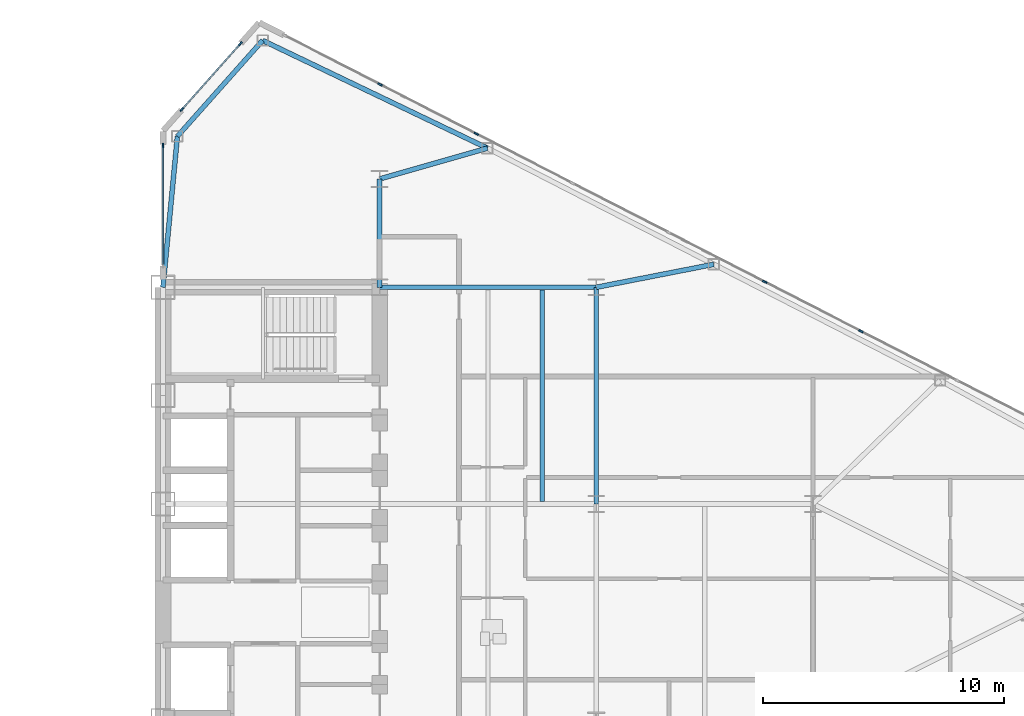
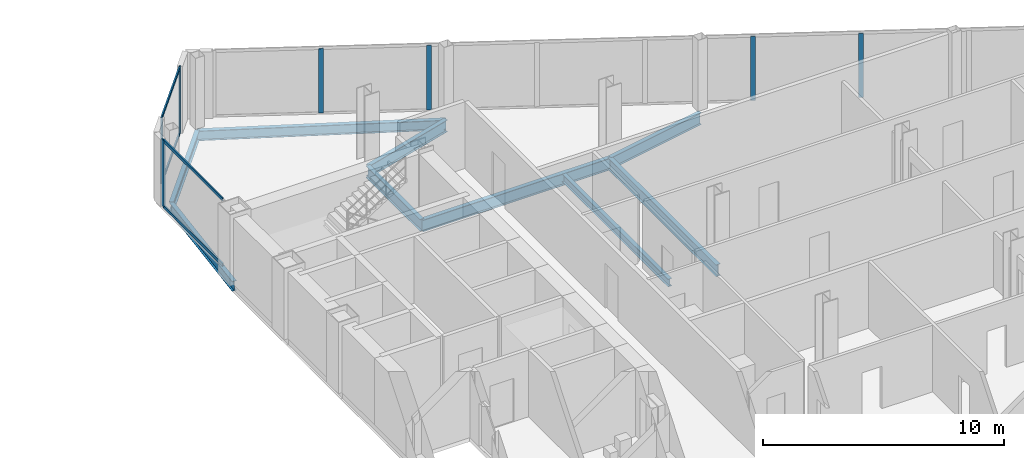
# One storey, part 11 of 24: 11 members, 9 beams, 3 elements without a shape of their own.
"""IFC4 building model written with IfcOpenShell, lengths in metres."""

from ifc_helpers import new_model, si_unit, direction, frame, origin, origin_2d, place, context, subcontext, project, spatial, rectangle, i_section, extrude, source, transform, mapped, material, layer, layer_set, material_profile, profile_set, type_object, type_shapes, element, aggregate, save


model = new_model("IFC4")

# Units and contexts
model_context = context("Model", 3, precision=1e-05, world=origin(), true_north=direction((0.0, 1.0)))
body_context = subcontext(model_context, "Body", "Model", "MODEL_VIEW")
ifc_project = project(units=[si_unit("LENGTHUNIT", "METRE"), si_unit("AREAUNIT", "SQUARE_METRE"), si_unit("VOLUMEUNIT", "CUBIC_METRE"), si_unit("PLANEANGLEUNIT", "RADIAN"), si_unit("MASSUNIT", "GRAM", prefix="KILO")], contexts=[model_context])

# Site, building, storey
site_placement = place(None, origin())
site = spatial("IfcSite", under=ifc_project, at=site_placement, CompositionType="ELEMENT")
building_placement = place(site_placement, origin())
building = spatial("IfcBuilding", under=site, at=building_placement, Name="Seokmaru Belvedere", CompositionType="ELEMENT")
storey_placement = place(building_placement, frame((0.0, 0.0, 121.199951171875)))
storey = spatial("IfcBuildingStorey", under=building, at=storey_placement, Name="L32", CompositionType="ELEMENT", Elevation=121.199951171875)

# Beams
ifc_material_1 = material(Name="Steel SM355 (355 MPa)", Category="steel")
ifc_material_profile_1 = material_profile(ifc_material_1, i_section(OverallWidth=0.199951171875, OverallDepth=0.60009765625, WebThickness=0.010986328125, FlangeThickness=0.01708984375, at=origin_2d()), Name="H-600x200x11x17")
ifc_profile_set_1 = profile_set([ifc_material_profile_1], Name="Steel SM355 (355 MPa)")
beam_type_1 = type_object("IfcBeamType", Name="Primary Floor Girder H-600", PredefinedType="BEAM", material=ifc_profile_set_1)
shared_shape_1 = source(origin(), body_context, "Body", "SweptSolid", [
    extrude(i_section(OverallWidth=0.199951171875, OverallDepth=0.60009765625, WebThickness=0.010986328125, FlangeThickness=0.01708984375, at=origin_2d()), origin(), (0.0, 0.0, 1.0), 9.0),
])
for number, where, z_axis, x_axis, name in (
    (1, (45.5, 4.5, -0.52001953125), (0.0, 1.0, 0.0), (-1.0, 0.0, 0.0), "L32 E Interior Grid Girder 3"),
    (2, (36.5, 13.5, -0.52001953125), (1.0, 0.0, 0.0), (0.0, 1.0, 0.0), "L32 E Wing Primary Girder 4"),
):
    element("IfcBeam", number, at=place(storey_placement, frame(where, z_axis=z_axis, x_axis=x_axis)), inside=storey, type_object=beam_type_1, Name=name, PredefinedType="BEAM", context=body_context, shape_type="MappedRepresentation", body=[
        mapped(shared_shape_1, transform((0.0, 0.0, 0.0), scale=1.0)),
    ])
ifc_material_profile_2 = material_profile(ifc_material_1, i_section(OverallWidth=0.18505859375, OverallDepth=0.389892578125, WebThickness=0.008056640625, FlangeThickness=0.011962890625, at=origin_2d()), Name="H-390x185x8x12")
ifc_profile_set_2 = profile_set([ifc_material_profile_2], Name="Steel SM355 (355 MPa)")
beam_type_2 = type_object("IfcBeamType", Name="Secondary Floor Joist H-350", PredefinedType="JOIST", material=ifc_profile_set_2)
shared_shape_2 = source(origin(), body_context, "Body", "SweptSolid", [
    extrude(i_section(OverallWidth=0.18505859375, OverallDepth=0.389892578125, WebThickness=0.008056640625, FlangeThickness=0.011962890625, at=origin_2d()), origin(), (0.0, 0.0, 1.0), 8.7900390625),
])
type_shapes(beam_type_2, [shared_shape_2])
beam_1_placement = place(storey_placement, frame((43.25, 4.60498046875, -0.4150390625), z_axis=(0.0, 1.0, 0.0), x_axis=(-1.0, 0.0, 0.0)))
element("IfcBeam", 3, at=beam_1_placement, inside=storey, type_object=beam_type_2, Name="L32 E Wing Inner Secondary Joist 2", PredefinedType="JOIST", context=body_context, shape_type="MappedRepresentation", body=[
    mapped(shared_shape_2, transform((0.0, 0.0, 0.0), scale=1.0)),
])
shared_shape_3 = source(origin(), body_context, "Body", "SweptSolid", [
    extrude(i_section(OverallWidth=0.199951171875, OverallDepth=0.60009765625, WebThickness=0.010986328125, FlangeThickness=0.01708984375, at=origin_2d()), origin(), (0.0, 0.0, 1.0), 4.5),
])
beam_2_placement = place(storey_placement, frame((36.5, 13.5, -0.52001953125), z_axis=(0.0, 1.0, 0.0), x_axis=(-1.0, 0.0, 0.0)))
element("IfcBeam", 4, at=beam_2_placement, inside=storey, type_object=beam_type_1, Name="L32 E Core Shoulder Girder N", PredefinedType="BEAM", context=body_context, shape_type="MappedRepresentation", body=[
    mapped(shared_shape_3, transform((0.0, 0.0, 0.0), scale=1.0)),
])
ifc_material_profile_3 = material_profile(ifc_material_1, i_section(OverallWidth=0.199951171875, OverallDepth=0.5, WebThickness=0.010009765625, FlangeThickness=0.01611328125, at=origin_2d()), Name="H-500x200x10x16")
ifc_profile_set_3 = profile_set([ifc_material_profile_3], Name="Steel SM355 (355 MPa)")
beam_type_3 = type_object("IfcBeamType", Name="Perimeter Spandrel Beam H-500", PredefinedType="SPANDREL", material=ifc_profile_set_3)
shared_shape_4 = source(origin(), body_context, "Body", "SweptSolid", [
    extrude(i_section(OverallWidth=0.199951171875, OverallDepth=0.5, WebThickness=0.010009765625, FlangeThickness=0.01611328125, at=origin_2d()), origin(), (0.0, 0.0, 1.0), 10.353759765625),
])
beam_3_placement = place(storey_placement, frame((31.6396484375, 23.75390625, -0.469970703125), z_axis=(0.901713202822, -0.432334708134, 0.0), x_axis=(0.432334708134, 0.901713202822, 0.0)))
element("IfcBeam", 5, at=beam_3_placement, inside=storey, type_object=beam_type_3, Name="L32 E Faceted Flank Spandrel N-1", PredefinedType="SPANDREL", context=body_context, shape_type="MappedRepresentation", body=[
    mapped(shared_shape_4, transform((0.0, 0.0, 0.0), scale=1.0)),
])
shared_shape_5 = source(origin(), body_context, "Body", "SweptSolid", [
    extrude(i_section(OverallWidth=0.199951171875, OverallDepth=0.5, WebThickness=0.010009765625, FlangeThickness=0.01611328125, at=origin_2d()), origin(), (0.0, 0.0, 1.0), 5.32763671875),
])
beam_4_placement = place(storey_placement, frame((31.6396484375, 23.75390625, -0.469970703125), z_axis=(-0.66436952742, -0.74740426212, 0.0), x_axis=(0.74740426212, -0.66436952742, 0.0)))
element("IfcBeam", 6, at=beam_4_placement, inside=storey, type_object=beam_type_3, Name="L32 E Shoulder Chamfer Spandrel N", PredefinedType="SPANDREL", context=body_context, shape_type="MappedRepresentation", body=[
    mapped(shared_shape_5, transform((0.0, 0.0, 0.0), scale=1.0)),
])
shared_shape_6 = source(origin(), body_context, "Body", "SweptSolid", [
    extrude(i_section(OverallWidth=0.199951171875, OverallDepth=0.5, WebThickness=0.010009765625, FlangeThickness=0.01611328125, at=origin_2d()), origin(), (0.0, 0.0, 1.0), 6.300537109375),
])
type_shapes(beam_type_3, [shared_shape_4, shared_shape_5, shared_shape_6])
beam_5_placement = place(storey_placement, frame((28.10009765625, 19.77197265625, -0.469970703125), z_axis=(-0.095244287992, -0.995453929424, 0.0), x_axis=(0.995453929424, -0.095244287992, 0.0)))
element("IfcBeam", 7, at=beam_5_placement, inside=storey, type_object=beam_type_3, Name="L32 E Shoulder Spine Spandrel N", PredefinedType="SPANDREL", context=body_context, shape_type="MappedRepresentation", body=[
    mapped(shared_shape_6, transform((0.0, 0.0, 0.0), scale=1.0)),
])
shared_shape_7 = source(origin(), body_context, "Body", "SweptSolid", [
    extrude(i_section(OverallWidth=0.199951171875, OverallDepth=0.60009765625, WebThickness=0.010986328125, FlangeThickness=0.01708984375, at=origin_2d()), origin(), (0.0, 0.0, 1.0), 4.654541015625),
])
beam_6_placement = place(storey_placement, frame((40.975830078125, 19.277587890625, -0.52001953125), z_axis=(-0.961593192625, -0.274478654721, 0.0), x_axis=(0.274478654721, -0.961593192625, 0.0)))
element("IfcBeam", 8, at=beam_6_placement, inside=storey, type_object=beam_type_1, Name="L32 E Flank Radial Floor Girder N-1", PredefinedType="BEAM", context=body_context, shape_type="MappedRepresentation", body=[
    mapped(shared_shape_7, transform((0.0, 0.0, 0.0), scale=1.0)),
])
shared_shape_8 = source(origin(), body_context, "Body", "SweptSolid", [
    extrude(i_section(OverallWidth=0.199951171875, OverallDepth=0.60009765625, WebThickness=0.010986328125, FlangeThickness=0.01708984375, at=origin_2d()), origin(), (0.0, 0.0, 1.0), 4.969482421875),
])
type_shapes(beam_type_1, [shared_shape_1, shared_shape_3, shared_shape_7, shared_shape_8])
beam_7_placement = place(storey_placement, frame((50.377197265625, 14.453369140625, -0.52001953125), z_axis=(-0.98142544456, -0.19184393858, 0.0), x_axis=(0.19184393858, -0.98142544456, 0.0)))
element("IfcBeam", 9, at=beam_7_placement, inside=storey, type_object=beam_type_1, Name="L32 E Flank Radial Floor Girder N-2", PredefinedType="BEAM", context=body_context, shape_type="MappedRepresentation", body=[
    mapped(shared_shape_8, transform((0.0, 0.0, 0.0), scale=1.0)),
])

# Curtain wall, members
ifc_material_2 = material(Name="Bronze Triple Insulating Glass", Category="glass")
ifc_layer = layer(ifc_material_2, 0.195068359375)
ifc_layer_set = layer_set([ifc_layer], Name="Bronze Triple Insulating Glass")
curtain_wall_type = type_object("IfcCurtainWallType", Name="Sky-Lobby and Mid-Rise Curtain Wall System CW-4", PredefinedType="NOTDEFINED", material=ifc_layer_set)
curtain_wall_1_placement = place(storey_placement, origin())
curtain_wall_1 = element("IfcCurtainWall", 10, at=curtain_wall_1_placement, inside=storey, type_object=curtain_wall_type, Name="L32 Curtain Wall EF4", PredefinedType="NOTDEFINED")
ifc_material_3 = material(Name="Anodised Bronze Aluminium", Category="aluminium")
ifc_material_profile_4 = material_profile(ifc_material_3, rectangle(XDim=0.070068359375, YDim=0.195068359375, at=origin_2d()), Name="CW-M-70x195")
ifc_profile_set_4 = profile_set([ifc_material_profile_4], Name="Anodised Bronze Aluminium")
member_type_1 = type_object("IfcMemberType", Name="Bronze Unitised Mullion 70x195", PredefinedType="MULLION", material=ifc_profile_set_4)
shared_shape_9 = source(origin(), body_context, "Body", "SweptSolid", [
    extrude(rectangle(XDim=0.070068359375, YDim=0.195068359375, at=origin_2d()), origin(), (0.0, 0.0, 1.0), 3.380126953125),
])
member_1_placement = place(storey_placement, frame((30.712646484375, 23.6142578125, 0.0), z_axis=(0.0, 0.0, 1.0), x_axis=(0.747409774804, -0.664363325694, 0.0)))
member_1 = element("IfcMember", 11, at=member_1_placement, type_object=member_type_1, Name="CW:L32:EF4 Mullion 1", PredefinedType="MULLION", context=body_context, shape_type="MappedRepresentation", body=[
    mapped(shared_shape_9, transform((0.0, 0.0, 0.0), scale=1.0)),
])
member_2_placement = place(storey_placement, frame((28.287353515625, 20.8857421875, 0.0), z_axis=(0.0, 0.0, 1.0), x_axis=(0.747409774804, -0.664363325694, 0.0)))
member_2 = element("IfcMember", 12, at=member_2_placement, type_object=member_type_1, Name="CW:L32:EF4 Mullion 2", PredefinedType="MULLION", context=body_context, shape_type="MappedRepresentation", body=[
    mapped(shared_shape_9, transform((0.0, 0.0, 0.0), scale=1.0)),
])

curtain_wall_2_placement = place(storey_placement, origin())
curtain_wall_2 = element("IfcCurtainWall", 13, at=curtain_wall_2_placement, inside=storey, type_object=curtain_wall_type, Name="L32 Curtain Wall ESP_2", PredefinedType="NOTDEFINED")
member_3_placement = place(storey_placement, frame((27.5, 19.39501953125, 0.0), z_axis=(0.0, 0.0, 1.0), x_axis=(1.0, 0.0, 0.0)))
member_3 = element("IfcMember", 14, at=member_3_placement, type_object=member_type_1, Name="CW:L32:ESP_2 Mullion 1", PredefinedType="MULLION", context=body_context, shape_type="MappedRepresentation", body=[
    mapped(shared_shape_9, transform((0.0, 0.0, 0.0), scale=1.0)),
])
ifc_material_profile_5 = material_profile(ifc_material_3, rectangle(XDim=0.06494140625, YDim=0.14990234375, at=origin_2d()), Name="CW-T-65x150")
ifc_profile_set_5 = profile_set([ifc_material_profile_5], Name="Anodised Bronze Aluminium")
member_type_2 = type_object("IfcMemberType", Name="Bronze Unitised Transom 65x150", PredefinedType="USERDEFINED", material=ifc_profile_set_5)
shared_shape_10 = source(origin(), body_context, "Body", "SweptSolid", [
    extrude(rectangle(XDim=0.06494140625, YDim=0.14990234375, at=origin_2d()), origin(), (0.0, 0.0, 1.0), 4.91015625),
])
member_4_placement = place(storey_placement, frame((27.5, 19.360107421875, 0.032470703125), z_axis=(0.0, -1.0, 0.0), x_axis=(1.0, 0.0, 0.0)))
member_4 = element("IfcMember", 15, at=member_4_placement, type_object=member_type_2, Name="CW:L32:ESP_2 Continuous Transom 1", ObjectType="TRANSOM", PredefinedType="USERDEFINED", context=body_context, shape_type="MappedRepresentation", body=[
    mapped(shared_shape_10, transform((0.0, 0.0, 0.0), scale=1.0)),
])
member_5_placement = place(storey_placement, frame((27.5, 19.360107421875, 3.34765625), z_axis=(0.0, -1.0, 0.0), x_axis=(1.0, 0.0, 0.0)))
member_5 = element("IfcMember", 16, at=member_5_placement, type_object=member_type_2, Name="CW:L32:ESP_2 Continuous Transom 2", ObjectType="TRANSOM", PredefinedType="USERDEFINED", context=body_context, shape_type="MappedRepresentation", body=[
    mapped(shared_shape_10, transform((0.0, 0.0, 0.0), scale=1.0)),
])
aggregate(curtain_wall_2, [member_3, member_4, member_5])

# Member
shared_shape_11 = source(origin(), body_context, "Body", "SweptSolid", [
    extrude(rectangle(XDim=0.06494140625, YDim=0.14990234375, at=origin_2d()), origin(), (0.0, 0.0, 1.0), 3.580810546875),
])
type_shapes(member_type_2, [shared_shape_10, shared_shape_11])
member_6_placement = place(storey_placement, frame((30.689453125, 23.588134765625, 0.032470703125), z_axis=(-0.66436383883, -0.747409318684, 0.0), x_axis=(0.747409318684, -0.66436383883, 0.0)))
member_6 = element("IfcMember", 17, at=member_6_placement, type_object=member_type_2, Name="CW:L32:EF4 Continuous Transom 1", ObjectType="TRANSOM", PredefinedType="USERDEFINED", context=body_context, shape_type="MappedRepresentation", body=[
    mapped(shared_shape_11, transform((0.0, 0.0, 0.0), scale=1.0)),
])

member_7_placement = place(storey_placement, frame((30.689453125, 23.588134765625, 3.34765625), z_axis=(-0.66436383883, -0.747409318684, 0.0), x_axis=(0.747409318684, -0.66436383883, 0.0)))
member_7 = element("IfcMember", 18, at=member_7_placement, type_object=member_type_2, Name="CW:L32:EF4 Continuous Transom 2", ObjectType="TRANSOM", PredefinedType="USERDEFINED", context=body_context, shape_type="MappedRepresentation", body=[
    mapped(shared_shape_11, transform((0.0, 0.0, 0.0), scale=1.0)),
])

aggregate(curtain_wall_1, [member_1, member_2, member_6, member_7])

# Curtain wall, members
curtain_wall_3_placement = place(storey_placement, origin())
curtain_wall_3 = element("IfcCurtainWall", 19, at=curtain_wall_3_placement, inside=storey, type_object=curtain_wall_type, Name="L32 Curtain Wall EF3", PredefinedType="NOTDEFINED")
shared_shape_12 = source(origin(), body_context, "Body", "SweptSolid", [
    extrude(rectangle(XDim=0.070068359375, YDim=0.195068359375, at=origin_2d()), origin(), (0.0, 0.0, 1.0), 3.25),
])
type_shapes(member_type_1, [shared_shape_9, shared_shape_12])
member_8_placement = place(storey_placement, frame((56.4921875, 11.675048828125, 0.06494140625), z_axis=(0.0, 0.0, 1.0), x_axis=(-0.456554528263, -0.889695432562, 0.0)))
member_8 = element("IfcMember", 20, at=member_8_placement, type_object=member_type_1, Name="CW:L32:EF3 Mullion 4", PredefinedType="MULLION", context=body_context, shape_type="MappedRepresentation", body=[
    mapped(shared_shape_12, transform((0.0, 0.0, 0.0), scale=1.0)),
])
member_9_placement = place(storey_placement, frame((52.497314453125, 13.72509765625, 0.06494140625), z_axis=(0.0, 0.0, 1.0), x_axis=(-0.456554528263, -0.889695432562, 0.0)))
member_9 = element("IfcMember", 21, at=member_9_placement, type_object=member_type_1, Name="CW:L32:EF3 Mullion 5", PredefinedType="MULLION", context=body_context, shape_type="MappedRepresentation", body=[
    mapped(shared_shape_12, transform((0.0, 0.0, 0.0), scale=1.0)),
])
member_10_placement = place(storey_placement, frame((40.5126953125, 19.875, 0.06494140625), z_axis=(0.0, 0.0, 1.0), x_axis=(-0.456554528263, -0.889695432562, 0.0)))
member_10 = element("IfcMember", 22, at=member_10_placement, type_object=member_type_1, Name="CW:L32:EF3 Mullion 8", PredefinedType="MULLION", context=body_context, shape_type="MappedRepresentation", body=[
    mapped(shared_shape_12, transform((0.0, 0.0, 0.0), scale=1.0)),
])
member_11_placement = place(storey_placement, frame((36.51806640625, 21.925048828125, 0.06494140625), z_axis=(0.0, 0.0, 1.0), x_axis=(-0.456554528263, -0.889695432562, 0.0)))
member_11 = element("IfcMember", 23, at=member_11_placement, type_object=member_type_1, Name="CW:L32:EF3 Mullion 9", PredefinedType="MULLION", context=body_context, shape_type="MappedRepresentation", body=[
    mapped(shared_shape_12, transform((0.0, 0.0, 0.0), scale=1.0)),
])
aggregate(curtain_wall_3, [member_8, member_9, member_10, member_11])

save(model, "model.ifc")
